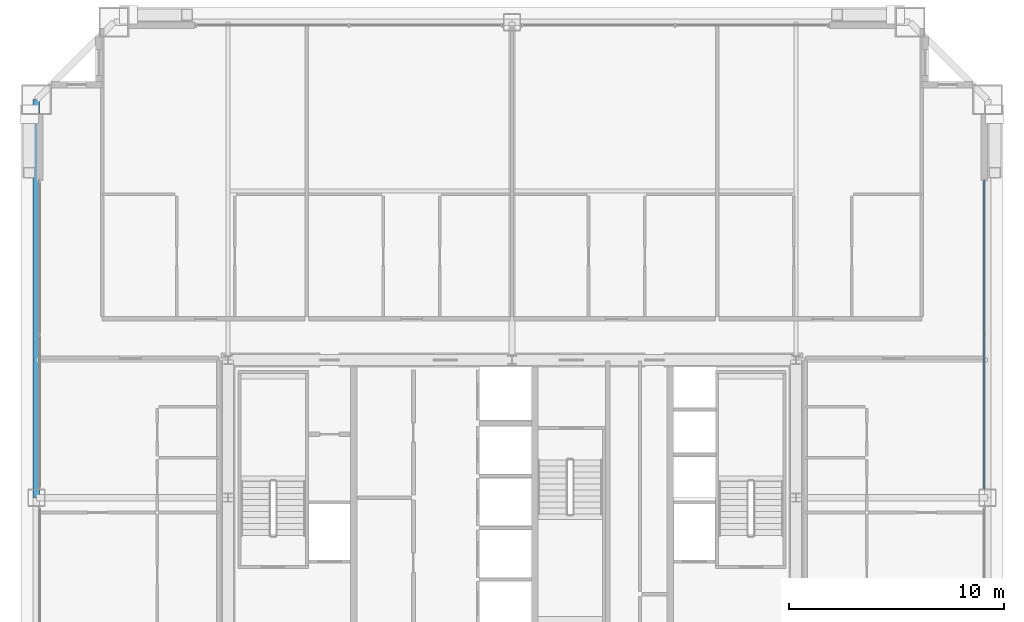
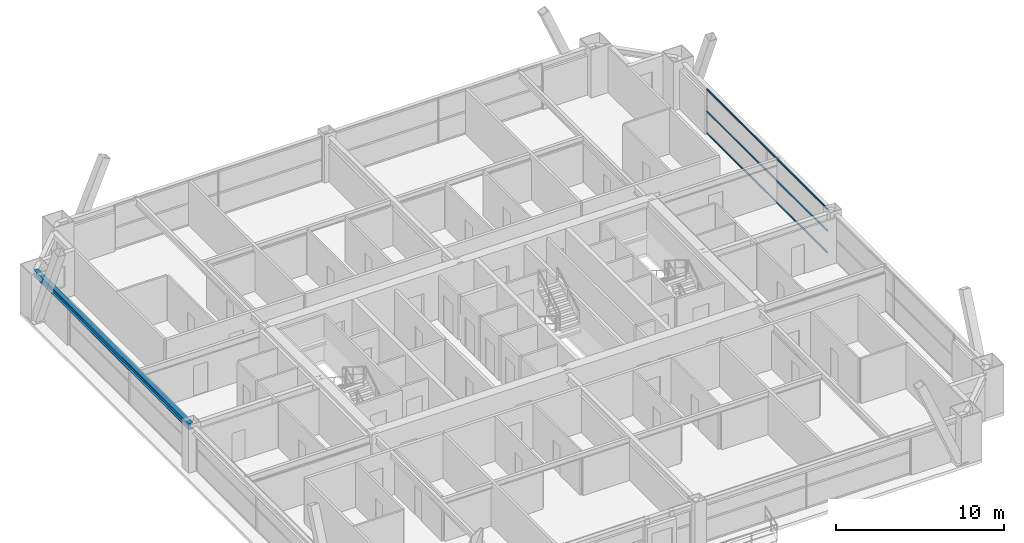
# One storey, part 26 of 42: 3 members, 1 beam, 1 element without a shape of its own.
"""IFC4 building model written with IfcOpenShell, lengths in metres."""

from ifc_helpers import new_model, si_unit, direction, frame, origin, origin_2d, place, context, subcontext, project, spatial, hollow_rectangle, i_section, extrude, source, transform, mapped, material, layer, layer_set, material_profile, profile_set, type_object, element, aggregate, save


model = new_model("IFC4")

# Units and contexts
model_context = context("Model", 3, precision=1e-05, world=origin(), true_north=direction((0.0, 1.0)))
body_context = subcontext(model_context, "Body", "Model", "MODEL_VIEW")
ifc_project = project(units=[si_unit("LENGTHUNIT", "METRE"), si_unit("AREAUNIT", "SQUARE_METRE"), si_unit("VOLUMEUNIT", "CUBIC_METRE"), si_unit("PLANEANGLEUNIT", "RADIAN"), si_unit("MASSUNIT", "GRAM", prefix="KILO"), si_unit("THERMODYNAMICTEMPERATUREUNIT", "KELVIN"), si_unit("POWERUNIT", "WATT")], contexts=[model_context])

# Site, building, storey
site_placement = place(None, origin())
site = spatial("IfcSite", under=ifc_project, at=site_placement, CompositionType="ELEMENT")
building_placement = place(site_placement, origin())
building = spatial("IfcBuilding", under=site, at=building_placement, Name="Yuzanri Waterfront Tower", CompositionType="ELEMENT")
storey_placement = place(building_placement, frame((0.0, 0.0, 184.5)))
storey = spatial("IfcBuildingStorey", under=building, at=storey_placement, Name="L48", CompositionType="ELEMENT", Elevation=184.5)

# Beam
ifc_material_1 = material(Name="Steel Q355B", Category="steel")
ifc_material_profile_1 = material_profile(ifc_material_1, i_section(OverallWidth=0.300048828125, OverallDepth=0.43994140625, WebThickness=0.010986328125, FlangeThickness=0.01806640625, at=origin_2d()), Name="HM 440x300x11x18")
ifc_profile_set_1 = profile_set([ifc_material_profile_1], Name="Steel Q355B")
beam_type = type_object("IfcBeamType", Name="Perimeter Spandrel Q355B HM 440x300", PredefinedType="SPANDREL", material=ifc_profile_set_1)
shared_shape_1 = source(origin(), body_context, "Body", "SweptSolid", [
    extrude(i_section(OverallWidth=0.300048828125, OverallDepth=0.43994140625, WebThickness=0.010986328125, FlangeThickness=0.01806640625, at=origin_2d()), origin(), (0.0, 0.0, 1.0), 18.5),
])
beam_placement = place(storey_placement, frame((14.89990234375, 44.300048828125, 3.06005859375), z_axis=(0.0, -1.0, 0.0), x_axis=(1.0, 0.0, 0.0)))
element("IfcBeam", 1, at=beam_placement, inside=storey, type_object=beam_type, Name="L48 Perimeter Spandrel W3-W2", PredefinedType="SPANDREL", context=body_context, shape_type="MappedRepresentation", body=[
    mapped(shared_shape_1, transform((0.0, 0.0, 0.0), scale=1.0)),
])

# Curtain wall, members
ifc_material_2 = material(Name="Anodized Architectural Bronze", Category="metal")
ifc_layer = layer(ifc_material_2, 0.159912109375)
ifc_layer_set = layer_set([ifc_layer], Name="Anodized Architectural Bronze")
curtain_wall_type = type_object("IfcCurtainWallType", Name="Anodized Bronze Mid-Rise Residential Acoustic Unitized Curtain Wall 7200", PredefinedType="NOTDEFINED", material=ifc_layer_set)
curtain_wall_placement = place(storey_placement, origin())
curtain_wall = element("IfcCurtainWall", 2, at=curtain_wall_placement, inside=storey, type_object=curtain_wall_type, Name="L48 Curtain Wall CW-L48-ER", PredefinedType="NOTDEFINED")
ifc_material_3 = material(Name="Anodized Architectural Bronze", Category="metal")
ifc_material_profile_2 = material_profile(ifc_material_3, hollow_rectangle(XDim=0.06494140625, YDim=0.1201171875, WallThickness=0.00341796875, at=origin_2d()), Name="CWT 65x120")
ifc_profile_set_2 = profile_set([ifc_material_profile_2], Name="Anodized Architectural Bronze")
member_type = type_object("IfcMemberType", Name="Anodized Bronze Secondary Curtain-Wall Transom 65x120", PredefinedType="USERDEFINED", material=ifc_profile_set_2)
shared_shape_2 = source(origin(), body_context, "Body", "SweptSolid", [
    extrude(hollow_rectangle(XDim=0.06494140625, YDim=0.1201171875, WallThickness=0.00341796875, at=origin_2d()), origin(), (0.0, 0.0, 1.0), 14.35009765625),
])
member_1_placement = place(storey_placement, frame((58.949951171875, 26.199951171875, 0.050048828125), z_axis=(0.0, 1.0, 0.0), x_axis=(-1.0, 0.0, 0.0)))
member_1 = element("IfcMember", 3, at=member_1_placement, type_object=member_type, Name="CW-L48-ER Transom 1", ObjectType="TRANSOM", PredefinedType="USERDEFINED", context=body_context, shape_type="MappedRepresentation", body=[
    mapped(shared_shape_2, transform((0.0, 0.0, 0.0), scale=1.0)),
])
member_2_placement = place(storey_placement, frame((58.949951171875, 26.199951171875, 1.639892578125), z_axis=(0.0, 1.0, 0.0), x_axis=(-1.0, 0.0, 0.0)))
member_2 = element("IfcMember", 4, at=member_2_placement, type_object=member_type, Name="CW-L48-ER Transom 2", ObjectType="TRANSOM", PredefinedType="USERDEFINED", context=body_context, shape_type="MappedRepresentation", body=[
    mapped(shared_shape_2, transform((0.0, 0.0, 0.0), scale=1.0)),
])
member_3_placement = place(storey_placement, frame((58.949951171875, 26.199951171875, 3.22998046875), z_axis=(0.0, 1.0, 0.0), x_axis=(-1.0, 0.0, 0.0)))
member_3 = element("IfcMember", 5, at=member_3_placement, type_object=member_type, Name="CW-L48-ER Transom 3", ObjectType="TRANSOM", PredefinedType="USERDEFINED", context=body_context, shape_type="MappedRepresentation", body=[
    mapped(shared_shape_2, transform((0.0, 0.0, 0.0), scale=1.0)),
])
aggregate(curtain_wall, [member_1, member_2, member_3])

save(model, "model.ifc")
